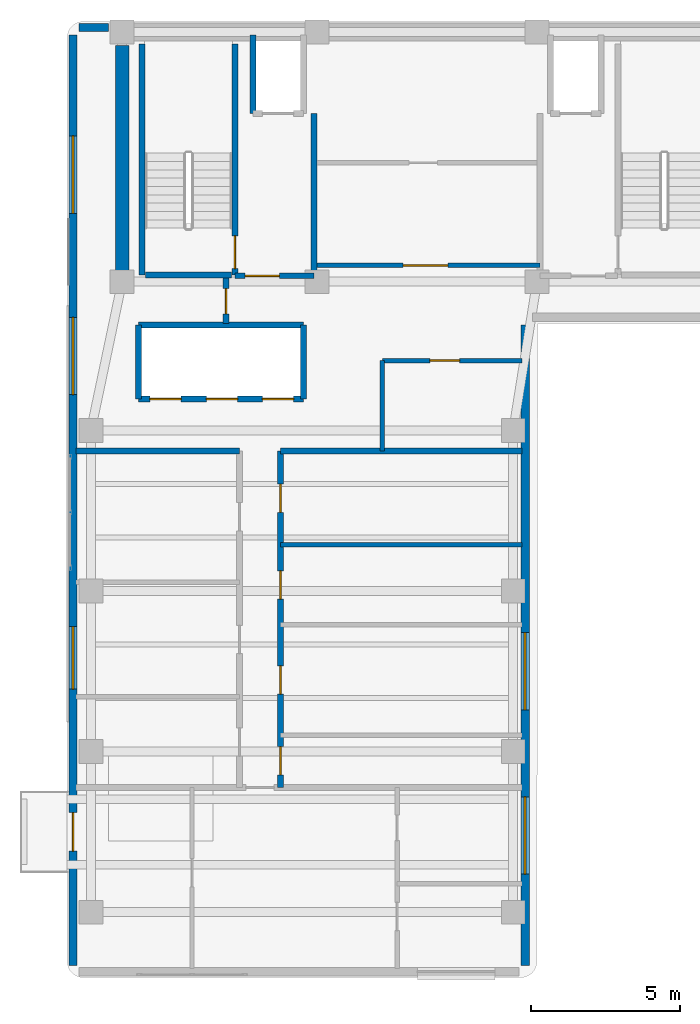
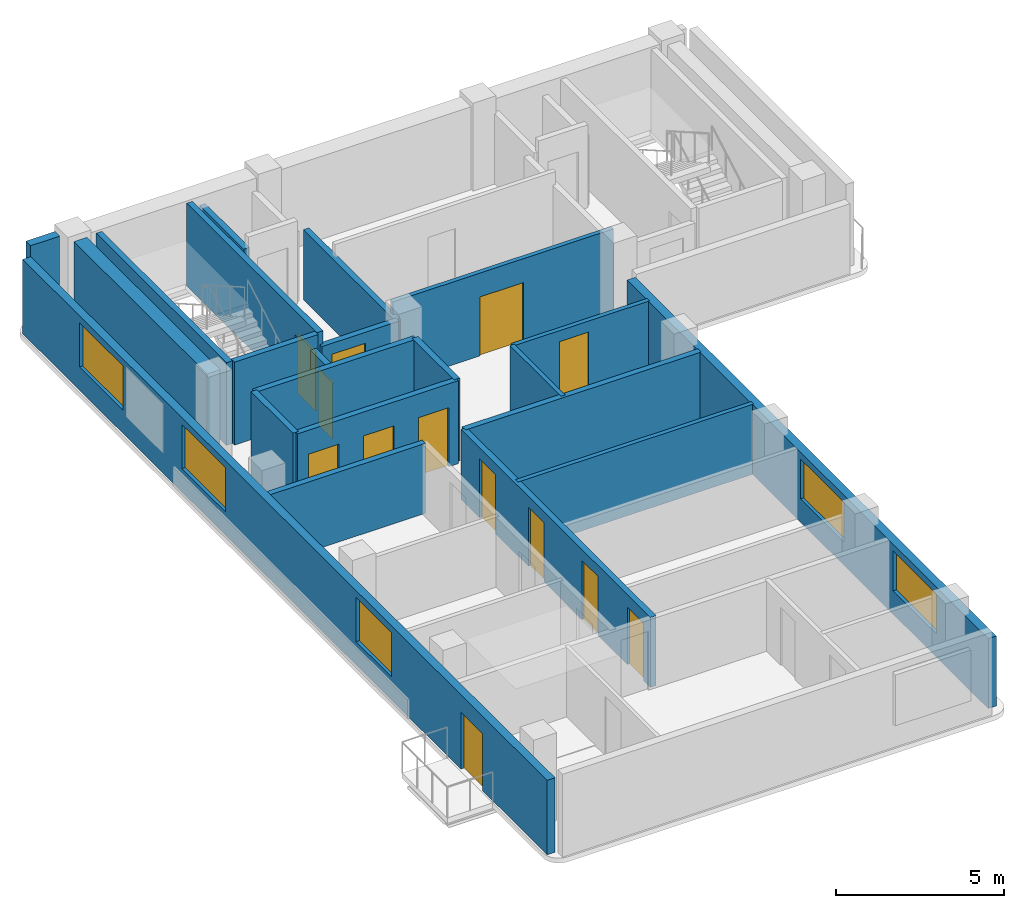
# One storey, part 8 of 11: 22 walls, 13 doors, 5 windows, 18 openings.
"""IFC4 building model written with IfcOpenShell, lengths in metres."""

from ifc_helpers import new_model, si_unit, direction, frame, frame_2d, origin, place, context, subcontext, project, spatial, rectangle, extrude, material, layer, layer_set, type_object, element, fill, save


model = new_model("IFC4")

# Units and contexts
model_context = context("Model", 3, precision=1e-05, world=origin(), true_north=direction((0.0, 1.0)))
body_context = subcontext(model_context, "Body", "Model", "MODEL_VIEW")
ifc_project = project(units=[si_unit("LENGTHUNIT", "METRE"), si_unit("AREAUNIT", "SQUARE_METRE"), si_unit("VOLUMEUNIT", "CUBIC_METRE"), si_unit("PLANEANGLEUNIT", "RADIAN"), si_unit("MASSUNIT", "GRAM", prefix="KILO")], contexts=[model_context])

# Site, building, storey
site_placement = place(None, origin())
site = spatial("IfcSite", under=ifc_project, at=site_placement, CompositionType="ELEMENT")
building_placement = place(site_placement, origin())
building = spatial("IfcBuilding", under=site, at=building_placement, Name="Kuzgunbayir Cultural Tower", CompositionType="ELEMENT")
storey_placement = place(building_placement, frame((0.0, 0.0, 234.39990234375)))
storey = spatial("IfcBuildingStorey", under=building, at=storey_placement, Name="L69", CompositionType="ELEMENT", Elevation=234.39990234375)

# Wall
ifc_material_1 = material(Name="Concrete C50/60", Category="concrete")
ifc_layer_1 = layer(ifc_material_1, 0.449951171875)
ifc_layer_set_1 = layer_set([ifc_layer_1], Name="Concrete C50/60")
wall_type_1 = type_object("IfcWallType", Name="WAL-CORE-450", PredefinedType="SHEAR", material=ifc_layer_set_1)
wall_1_placement = place(storey_placement, frame((6.449951171875, 33.800048828125, 0.0), z_axis=(0.0, 0.0, 1.0), x_axis=(0.0, 1.0, 0.0)))
element("IfcWall", 1, at=wall_1_placement, inside=storey, type_object=wall_type_1, Name="L69 T1 Core West Shear Wall", PredefinedType="SHEAR", context=body_context, shape_type="SweptSolid", body=[
    extrude(rectangle(XDim=7.949951171875, YDim=0.449951171875, at=frame_2d((3.97509765625, 0.0))), origin(), (0.0, 0.0, 1.0), 3.02001953125),
])

# Wall, openings, door, windows
ifc_material_2 = material(Name="Anatolian Cream Limestone", Category="masonry")
ifc_layer_2 = layer(ifc_material_2, 0.280029296875)
ifc_layer_set_2 = layer_set([ifc_layer_2], Name="Anatolian Cream Limestone")
wall_type_2 = type_object("IfcWallType", Name="WAL-EXT-STONE-280", PredefinedType="STANDARD", material=ifc_layer_set_2)
wall_2_placement = place(storey_placement, frame((4.800048828125, 42.10009765625, 0.0), z_axis=(0.0, 0.0, 1.0), x_axis=(0.0, -1.0, 0.0)))
wall_2 = element("IfcWall", 2, at=wall_2_placement, inside=storey, type_object=wall_type_2, Name="L69 Wing A West Limestone Wall", PredefinedType="STANDARD", context=body_context, shape_type="SweptSolid", body=[
    extrude(rectangle(XDim=31.300048828125, YDim=0.280029296875, at=frame_2d((15.64990234375, 0.0))), origin(), (0.0, 0.0, 1.0), 2.710205078125),
])
opening_1_placement = place(wall_2_placement, frame((26.14990234375, 0.0, 0.0)))
opening_1 = element("IfcOpeningElement", 3, at=opening_1_placement, cuts=wall_2, Name="Opening BD-13", PredefinedType="OPENING", context=body_context, shape_type="SweptSolid", body=[
    extrude(rectangle(XDim=1.300048828125, YDim=2.080078125, at=frame_2d((0.64990234375, 1.0400390625))), frame((0.0, 0.14990234375, 0.0), z_axis=(0.0, -1.0, 0.0), x_axis=(1.0, 0.0, 0.0)), (0.0, 0.0, 1.0), 0.300048828125),
])
opening_2_placement = place(wall_2_placement, frame((19.89990234375, 0.0, 0.85009765625)))
opening_2 = element("IfcOpeningElement", 4, at=opening_2_placement, cuts=wall_2, Name="Opening WR-21", PredefinedType="OPENING", context=body_context, shape_type="SweptSolid", body=[
    extrude(rectangle(XDim=2.10009765625, YDim=1.610107421875, at=frame_2d((1.050048828125, 0.80517578125))), frame((0.0, 0.14990234375, 0.0), z_axis=(0.0, -1.0, 0.0), x_axis=(1.0, 0.0, 0.0)), (0.0, 0.0, 1.0), 0.300048828125),
])
opening_3_placement = place(wall_2_placement, frame((9.5, 0.0, 0.85009765625)))
opening_3 = element("IfcOpeningElement", 5, at=opening_3_placement, cuts=wall_2, Name="Opening WK-26", PredefinedType="OPENING", context=body_context, shape_type="SweptSolid", body=[
    extrude(rectangle(XDim=2.60009765625, YDim=1.610107421875, at=frame_2d((1.300048828125, 0.80517578125))), frame((0.0, 0.14990234375, 0.0), z_axis=(0.0, -1.0, 0.0), x_axis=(1.0, 0.0, 0.0)), (0.0, 0.0, 1.0), 0.300048828125),
])
opening_4_placement = place(wall_2_placement, frame((3.39990234375, 0.0, 0.85009765625)))
opening_4 = element("IfcOpeningElement", 6, at=opening_4_placement, cuts=wall_2, Name="Opening WK-26", PredefinedType="OPENING", context=body_context, shape_type="SweptSolid", body=[
    extrude(rectangle(XDim=2.60009765625, YDim=1.610107421875, at=frame_2d((1.300048828125, 0.80517578125))), frame((0.0, 0.14990234375, 0.0), z_axis=(0.0, -1.0, 0.0), x_axis=(1.0, 0.0, 0.0)), (0.0, 0.0, 1.0), 0.300048828125),
])
ifc_material_3 = material(Name="Thermally Broken Glazed Aluminium", Category="aluminium")
door_type_1 = type_object("IfcDoorType", Name="DR-BALCONY-135", OperationType="SLIDING_TO_LEFT", PredefinedType="DOOR", material=ifc_material_3)
door_1_placement = place(opening_1_placement, origin())
door_1 = element("IfcDoor", 7, at=door_1_placement, inside=storey, type_object=door_type_1, Name="L69 West Balcony Sliding Door BAL-L69-WA1", OperationType="SLIDING_TO_LEFT", OverallHeight=2.080078125, OverallWidth=1.300048828125, PredefinedType="DOOR", context=body_context, shape_type="SweptSolid", body=[
    extrude(rectangle(XDim=1.300048828125, YDim=2.080078125, at=frame_2d((0.64990234375, 1.0400390625))), frame((0.0, 0.02490234375, 0.0), z_axis=(0.0, -1.0, 0.0), x_axis=(1.0, 0.0, 0.0)), (0.0, 0.0, 1.0), 0.050048828125),
])
fill(opening_1, door_1)
ifc_material_4 = material(Name="Solar-Control Triple Glazing", Category="glass")
window_type_1 = type_object("IfcWindowType", Name="WIN-CROWN-26", PartitioningType="SINGLE_PANEL", PredefinedType="WINDOW", material=ifc_material_4)
window_1_placement = place(opening_3_placement, origin())
window_1 = element("IfcWindow", 8, at=window_1_placement, inside=storey, type_object=window_type_1, Name="L69 WAW Facade Window 4", OverallHeight=1.610107421875, OverallWidth=2.60009765625, PartitioningType="SINGLE_PANEL", PredefinedType="WINDOW", context=body_context, shape_type="SweptSolid", body=[
    extrude(rectangle(XDim=2.60009765625, YDim=1.610107421875, at=frame_2d((1.300048828125, 0.80517578125))), frame((0.0, 0.030029296875, 0.0), z_axis=(0.0, -1.0, 0.0), x_axis=(1.0, 0.0, 0.0)), (0.0, 0.0, 1.0), 0.06005859375),
])
fill(opening_3, window_1)
window_2_placement = place(opening_4_placement, origin())
window_2 = element("IfcWindow", 9, at=window_2_placement, inside=storey, type_object=window_type_1, Name="L69 WAW Facade Window 5", OverallHeight=1.610107421875, OverallWidth=2.60009765625, PartitioningType="SINGLE_PANEL", PredefinedType="WINDOW", context=body_context, shape_type="SweptSolid", body=[
    extrude(rectangle(XDim=2.60009765625, YDim=1.610107421875, at=frame_2d((1.300048828125, 0.80517578125))), frame((0.0, 0.030029296875, 0.0), z_axis=(0.0, -1.0, 0.0), x_axis=(1.0, 0.0, 0.0)), (0.0, 0.0, 1.0), 0.06005859375),
])
fill(opening_4, window_2)
window_type_2 = type_object("IfcWindowType", Name="WIN-RESID-21", PartitioningType="SINGLE_PANEL", PredefinedType="WINDOW", material=ifc_material_4)
window_3_placement = place(opening_2_placement, origin())
window_3 = element("IfcWindow", 10, at=window_3_placement, inside=storey, type_object=window_type_2, Name="L69 WAW Facade Window 3", OverallHeight=1.610107421875, OverallWidth=2.10009765625, PartitioningType="SINGLE_PANEL", PredefinedType="WINDOW", context=body_context, shape_type="SweptSolid", body=[
    extrude(rectangle(XDim=2.10009765625, YDim=1.610107421875, at=frame_2d((1.050048828125, 0.80517578125))), frame((0.0, 0.030029296875, 0.0), z_axis=(0.0, -1.0, 0.0), x_axis=(1.0, 0.0, 0.0)), (0.0, 0.0, 1.0), 0.06005859375),
])
fill(opening_2, window_3)

# Wall, openings, windows
wall_3_placement = place(storey_placement, frame((20.0, 10.800048828125, 0.0), z_axis=(0.0, 0.0, 1.0), x_axis=(0.0, 1.0, 0.0)))
wall_3 = element("IfcWall", 11, at=wall_3_placement, inside=storey, type_object=wall_type_2, Name="L69 Wing A East Limestone Wall", PredefinedType="STANDARD", context=body_context, shape_type="SweptSolid", body=[
    extrude(rectangle(XDim=21.550048828125, YDim=0.280029296875, at=frame_2d((10.77490234375, 0.0))), origin(), (0.0, 0.0, 1.0), 2.550048828125),
])
opening_5_placement = place(wall_3_placement, frame((3.080078125, 0.0, 0.85009765625)))
opening_5 = element("IfcOpeningElement", 12, at=opening_5_placement, cuts=wall_3, Name="Opening WK-26", PredefinedType="OPENING", context=body_context, shape_type="SweptSolid", body=[
    extrude(rectangle(XDim=2.60009765625, YDim=1.449951171875, at=frame_2d((1.300048828125, 0.72509765625))), frame((0.0, 0.14990234375, 0.0), z_axis=(0.0, -1.0, 0.0), x_axis=(1.0, 0.0, 0.0)), (0.0, 0.0, 1.0), 0.300048828125),
])
opening_6_placement = place(wall_3_placement, frame((8.60009765625, 0.0, 0.85009765625)))
opening_6 = element("IfcOpeningElement", 13, at=opening_6_placement, cuts=wall_3, Name="Opening WK-26", PredefinedType="OPENING", context=body_context, shape_type="SweptSolid", body=[
    extrude(rectangle(XDim=2.60009765625, YDim=1.449951171875, at=frame_2d((1.300048828125, 0.72509765625))), frame((0.0, 0.14990234375, 0.0), z_axis=(0.0, -1.0, 0.0), x_axis=(1.0, 0.0, 0.0)), (0.0, 0.0, 1.0), 0.300048828125),
])
window_4_placement = place(opening_5_placement, origin())
window_4 = element("IfcWindow", 14, at=window_4_placement, inside=storey, type_object=window_type_1, Name="L69 WAE Facade Window 2", OverallHeight=1.449951171875, OverallWidth=2.60009765625, PartitioningType="SINGLE_PANEL", PredefinedType="WINDOW", context=body_context, shape_type="SweptSolid", body=[
    extrude(rectangle(XDim=2.60009765625, YDim=1.449951171875, at=frame_2d((1.300048828125, 0.72509765625))), frame((0.0, 0.030029296875, 0.0), z_axis=(0.0, -1.0, 0.0), x_axis=(1.0, 0.0, 0.0)), (0.0, 0.0, 1.0), 0.06005859375),
])
fill(opening_5, window_4)
window_5_placement = place(opening_6_placement, origin())
window_5 = element("IfcWindow", 15, at=window_5_placement, inside=storey, type_object=window_type_1, Name="L69 WAE Facade Window 6", OverallHeight=1.449951171875, OverallWidth=2.60009765625, PartitioningType="SINGLE_PANEL", PredefinedType="WINDOW", context=body_context, shape_type="SweptSolid", body=[
    extrude(rectangle(XDim=2.60009765625, YDim=1.449951171875, at=frame_2d((1.300048828125, 0.72509765625))), frame((0.0, 0.030029296875, 0.0), z_axis=(0.0, -1.0, 0.0), x_axis=(1.0, 0.0, 0.0)), (0.0, 0.0, 1.0), 0.06005859375),
])
fill(opening_6, window_5)

# Wall
wall_4_placement = place(storey_placement, frame((6.0, 42.35009765625, 0.0), z_axis=(0.0, 0.0, 1.0), x_axis=(-1.0, 0.0, 0.0)))
element("IfcWall", 16, at=wall_4_placement, inside=storey, type_object=wall_type_2, Name="L69 Core North-West Spandrel Link", PredefinedType="STANDARD", context=body_context, shape_type="SweptSolid", body=[
    extrude(rectangle(XDim=1.0, YDim=0.280029296875, at=frame_2d((0.5, 0.0))), origin(), (0.0, 0.0, 1.0), 3.02001953125),
])

# Wall, opening, door
ifc_material_5 = material(Name="Acoustic Double-Stud Drywall", Category="gypsum")
ifc_layer_3 = layer(ifc_material_5, 0.14990234375)
ifc_layer_set_3 = layer_set([ifc_layer_3], Name="Acoustic Double-Stud Drywall")
wall_type_3 = type_object("IfcWallType", Name="WAL-PART-ACOUSTIC-150", PredefinedType="PARTITIONING", material=ifc_layer_set_3)
wall_5_placement = place(storey_placement, frame((12.89990234375, 34.35009765625, 0.0), z_axis=(0.0, 0.0, 1.0), x_axis=(1.0, 0.0, 0.0)))
wall_5 = element("IfcWall", 17, at=wall_5_placement, inside=storey, type_object=wall_type_3, Name="L69 Sky Core South Wall", PredefinedType="PARTITIONING", context=body_context, shape_type="SweptSolid", body=[
    extrude(rectangle(XDim=7.60009765625, YDim=0.14990234375, at=frame_2d((3.800048828125, 0.0))), origin(), (0.0, 0.0, 1.0), 3.02001953125),
])
opening_7_placement = place(wall_5_placement, frame((3.0, 0.0, 0.0)))
opening_7 = element("IfcOpeningElement", 18, at=opening_7_placement, cuts=wall_5, Name="Opening DC-150", PredefinedType="OPENING", context=body_context, shape_type="SweptSolid", body=[
    extrude(rectangle(XDim=1.5, YDim=2.14990234375, at=frame_2d((0.75, 1.074951171875))), frame((0.0, 0.0849609375, 0.0), z_axis=(0.0, -1.0, 0.0), x_axis=(1.0, 0.0, 0.0)), (0.0, 0.0, 1.0), 0.169921875),
])
ifc_material_6 = material(Name="Fire-Rated Veneered Oak Double Leaf", Category="wood")
door_type_2 = type_object("IfcDoorType", Name="DR-CORE-150", OperationType="DOUBLE_DOOR_SINGLE_SWING", PredefinedType="DOOR", material=ifc_material_6)
door_2_placement = place(opening_7_placement, origin())
door_2 = element("IfcDoor", 19, at=door_2_placement, inside=storey, type_object=door_type_2, Name="L69 Sky Conservatory Double Door", OperationType="DOUBLE_DOOR_SINGLE_SWING", OverallHeight=2.14990234375, OverallWidth=1.5, PredefinedType="DOOR", context=body_context, shape_type="SweptSolid", body=[
    extrude(rectangle(XDim=1.5, YDim=2.14990234375, at=frame_2d((0.75, 1.074951171875))), frame((0.0, 0.02490234375, 0.0), z_axis=(0.0, -1.0, 0.0), x_axis=(1.0, 0.0, 0.0)), (0.0, 0.0, 1.0), 0.050048828125),
])
fill(opening_7, door_2)

wall_6_placement = place(storey_placement, frame((15.199951171875, 31.14990234375, 0.0), z_axis=(0.0, 0.0, 1.0), x_axis=(1.0, 0.0, 0.0)))
wall_6 = element("IfcWall", 20, at=wall_6_placement, inside=storey, type_object=wall_type_3, Name="L69 Central Sky Salon North Wall", PredefinedType="PARTITIONING", context=body_context, shape_type="SweptSolid", body=[
    extrude(rectangle(XDim=4.699951171875, YDim=0.14990234375, at=frame_2d((2.35009765625, 0.0))), origin(), (0.0, 0.0, 1.0), 2.550048828125),
])
opening_8_placement = place(wall_6_placement, frame((1.60009765625, 0.0, 0.0)))
opening_8 = element("IfcOpeningElement", 21, at=opening_8_placement, cuts=wall_6, Name="Opening DI-100", PredefinedType="OPENING", context=body_context, shape_type="SweptSolid", body=[
    extrude(rectangle(XDim=1.0, YDim=2.14990234375, at=frame_2d((0.5, 1.074951171875))), frame((0.0, 0.0849609375, 0.0), z_axis=(0.0, -1.0, 0.0), x_axis=(1.0, 0.0, 0.0)), (0.0, 0.0, 1.0), 0.169921875),
])
ifc_material_7 = material(Name="Veneered Oak Single Leaf", Category="wood")
door_type_3 = type_object("IfcDoorType", Name="DR-INT-100", OperationType="NOTDEFINED", PredefinedType="DOOR", material=ifc_material_7)
door_3_placement = place(opening_8_placement, origin())
door_3 = element("IfcDoor", 22, at=door_3_placement, inside=storey, type_object=door_type_3, Name="L69 Central Sky Salon Door", OperationType="SINGLE_SWING_LEFT", OverallHeight=2.14990234375, OverallWidth=1.0, PredefinedType="DOOR", context=body_context, shape_type="SweptSolid", body=[
    extrude(rectangle(XDim=1.0, YDim=2.14990234375, at=frame_2d((0.5, 1.074951171875))), frame((0.0, 0.02490234375, 0.0), z_axis=(0.0, -1.0, 0.0), x_axis=(1.0, 0.0, 0.0)), (0.0, 0.0, 1.0), 0.050048828125),
])
fill(opening_8, door_3)

# Walls
wall_7_placement = place(storey_placement, frame((15.199951171875, 28.10009765625, 0.0), z_axis=(0.0, 0.0, 1.0), x_axis=(0.0, 1.0, 0.0)))
element("IfcWall", 23, at=wall_7_placement, inside=storey, type_object=wall_type_3, Name="L69 Central Sky Salon West Wall", PredefinedType="PARTITIONING", context=body_context, shape_type="SweptSolid", body=[
    extrude(rectangle(XDim=3.0498046875, YDim=0.14990234375, at=frame_2d((1.52490234375, 0.0))), origin(), (0.0, 0.0, 1.0), 2.550048828125),
])
wall_8_placement = place(storey_placement, frame((11.780029296875, 24.949951171875, 0.0), z_axis=(0.0, 0.0, 1.0), x_axis=(1.0, 0.0, 0.0)))
element("IfcWall", 24, at=wall_8_placement, inside=storey, type_object=wall_type_3, Name="L69 East Divider 2", PredefinedType="PARTITIONING", context=body_context, shape_type="SweptSolid", body=[
    extrude(rectangle(XDim=8.119873046875, YDim=0.14990234375, at=frame_2d((4.06005859375, 0.0))), origin(), (0.0, 0.0, 1.0), 2.550048828125),
])
ifc_material_8 = material(Name="Aerated Concrete Blockwork", Category="masonry")
ifc_layer_4 = layer(ifc_material_8, 0.199951171875)
ifc_layer_set_4 = layer_set([ifc_layer_4], Name="Aerated Concrete Blockwork")
wall_type_4 = type_object("IfcWallType", Name="WAL-PART-FIRE-200", PredefinedType="PARTITIONING", material=ifc_layer_set_4)
wall_9_placement = place(storey_placement, frame((12.89990234375, 34.0, 0.0), z_axis=(0.0, 0.0, 1.0), x_axis=(0.0, 1.0, 0.0)))
element("IfcWall", 25, at=wall_9_placement, inside=storey, type_object=wall_type_4, Name="L69 FFL-1 Lobby East Fire Wall", PredefinedType="PARTITIONING", context=body_context, shape_type="SweptSolid", body=[
    extrude(rectangle(XDim=5.449951171875, YDim=0.199951171875, at=frame_2d((2.72509765625, 0.0))), origin(), (0.0, 0.0, 1.0), 2.550048828125),
])

# Wall, opening, door
wall_10_placement = place(storey_placement, frame((10.239990234375, 34.0, 0.0), z_axis=(0.0, 0.0, 1.0), x_axis=(1.0, 0.0, 0.0)))
wall_10 = element("IfcWall", 26, at=wall_10_placement, inside=storey, type_object=wall_type_4, Name="L69 FFL-1 Lobby South Fire Wall", PredefinedType="PARTITIONING", context=body_context, shape_type="SweptSolid", body=[
    extrude(rectangle(XDim=2.659912109375, YDim=0.199951171875, at=frame_2d((1.330078125, 0.0))), origin(), (0.0, 0.0, 1.0), 2.550048828125),
])
opening_9_placement = place(wall_10_placement, frame((0.35009765625, 0.0, 0.0)))
opening_9 = element("IfcOpeningElement", 27, at=opening_9_placement, cuts=wall_10, Name="Opening DR-FFL-90", PredefinedType="OPENING", context=body_context, shape_type="SweptSolid", body=[
    extrude(rectangle(XDim=1.14990234375, YDim=2.14990234375, at=frame_2d((0.574951171875, 1.074951171875))), frame((0.0, 0.10986328125, 0.0), z_axis=(0.0, -1.0, 0.0), x_axis=(1.0, 0.0, 0.0)), (0.0, 0.0, 1.0), 0.219970703125),
])
ifc_material_9 = material(Name="Steel S355J2", Category="steel")
door_type_4 = type_object("IfcDoorType", Name="DR-FFL-90", OperationType="NOTDEFINED", PredefinedType="DOOR", material=ifc_material_9)
door_4_placement = place(opening_9_placement, origin())
door_4 = element("IfcDoor", 28, at=door_4_placement, inside=storey, type_object=door_type_4, Name="L69 Firefighting Lobby 1 Door", OperationType="SINGLE_SWING_LEFT", OverallHeight=2.14990234375, OverallWidth=1.14990234375, PredefinedType="DOOR", context=body_context, shape_type="SweptSolid", body=[
    extrude(rectangle(XDim=1.14990234375, YDim=2.14990234375, at=frame_2d((0.574951171875, 1.074951171875))), frame((0.0, 0.02490234375, 0.0), z_axis=(0.0, -1.0, 0.0), x_axis=(1.0, 0.0, 0.0)), (0.0, 0.0, 1.0), 0.050048828125),
])
fill(opening_9, door_4)

wall_11_placement = place(storey_placement, frame((9.949951171875, 32.39990234375, 0.0), z_axis=(0.0, 0.0, 1.0), x_axis=(0.0, 1.0, 0.0)))
wall_11 = element("IfcWall", 29, at=wall_11_placement, inside=storey, type_object=wall_type_4, Name="L69 West Core Service Closet Wall", PredefinedType="PARTITIONING", context=body_context, shape_type="SweptSolid", body=[
    extrude(rectangle(XDim=1.52001953125, YDim=0.199951171875, at=frame_2d((0.760009765625, 0.0))), origin(), (0.0, 0.0, 1.0), 2.550048828125),
])
opening_10_placement = place(wall_11_placement, frame((0.320068359375, 0.0, 0.0)))
opening_10 = element("IfcOpeningElement", 30, at=opening_10_placement, cuts=wall_11, Name="Opening DR-RSR-60", PredefinedType="OPENING", context=body_context, shape_type="SweptSolid", body=[
    extrude(rectangle(XDim=0.85009765625, YDim=2.050048828125, at=frame_2d((0.425048828125, 1.02490234375))), frame((0.0, 0.10986328125, 0.0), z_axis=(0.0, -1.0, 0.0), x_axis=(1.0, 0.0, 0.0)), (0.0, 0.0, 1.0), 0.219970703125),
])
ifc_material_10 = material(Name="Steel Access Leaf", Category="steel")
door_type_5 = type_object("IfcDoorType", Name="DR-RISER-60", OperationType="NOTDEFINED", PredefinedType="DOOR", material=ifc_material_10)
door_5_placement = place(opening_10_placement, origin())
door_5 = element("IfcDoor", 31, at=door_5_placement, inside=storey, type_object=door_type_5, Name="L69 Cleaner Utility Store Door", OperationType="SINGLE_SWING_LEFT", OverallHeight=2.050048828125, OverallWidth=0.85009765625, PredefinedType="DOOR", context=body_context, shape_type="SweptSolid", body=[
    extrude(rectangle(XDim=0.85009765625, YDim=2.050048828125, at=frame_2d((0.425048828125, 1.02490234375))), frame((0.0, 0.02490234375, 0.0), z_axis=(0.0, -1.0, 0.0), x_axis=(1.0, 0.0, 0.0)), (0.0, 0.0, 1.0), 0.050048828125),
])
fill(opening_10, door_5)

# Wall, openings, doors
wall_12_placement = place(storey_placement, frame((11.780029296875, 16.800048828125, 0.0), z_axis=(0.0, 0.0, 1.0), x_axis=(0.0, 1.0, 0.0)))
wall_12 = element("IfcWall", 32, at=wall_12_placement, inside=storey, type_object=wall_type_4, Name="L69 Wing A East Corridor Wall", PredefinedType="PARTITIONING", context=body_context, shape_type="SweptSolid", body=[
    extrude(rectangle(XDim=11.300048828125, YDim=0.199951171875, at=frame_2d((5.64990234375, 0.0))), origin(), (0.0, 0.0, 1.0), 2.550048828125),
])
opening_11_placement = place(wall_12_placement, frame((0.419921875, 0.0, 0.0)))
opening_11 = element("IfcOpeningElement", 33, at=opening_11_placement, cuts=wall_12, Name="Opening DW-95", PredefinedType="OPENING", context=body_context, shape_type="SweptSolid", body=[
    extrude(rectangle(XDim=0.949951171875, YDim=2.10009765625, at=frame_2d((0.47509765625, 1.050048828125))), frame((0.0, 0.10986328125, 0.0), z_axis=(0.0, -1.0, 0.0), x_axis=(1.0, 0.0, 0.0)), (0.0, 0.0, 1.0), 0.219970703125),
])
opening_12_placement = place(wall_12_placement, frame((3.1298828125, 0.0, 0.0)))
opening_12 = element("IfcOpeningElement", 34, at=opening_12_placement, cuts=wall_12, Name="Opening DI-90", PredefinedType="OPENING", context=body_context, shape_type="SweptSolid", body=[
    extrude(rectangle(XDim=0.949951171875, YDim=2.14990234375, at=frame_2d((0.47509765625, 1.074951171875))), frame((0.0, 0.10986328125, 0.0), z_axis=(0.0, -1.0, 0.0), x_axis=(1.0, 0.0, 0.0)), (0.0, 0.0, 1.0), 0.219970703125),
])
opening_13_placement = place(wall_12_placement, frame((6.330078125, 0.0, 0.0)))
opening_13 = element("IfcOpeningElement", 35, at=opening_13_placement, cuts=wall_12, Name="Opening DI-90", PredefinedType="OPENING", context=body_context, shape_type="SweptSolid", body=[
    extrude(rectangle(XDim=0.949951171875, YDim=2.14990234375, at=frame_2d((0.47509765625, 1.074951171875))), frame((0.0, 0.10986328125, 0.0), z_axis=(0.0, -1.0, 0.0), x_axis=(1.0, 0.0, 0.0)), (0.0, 0.0, 1.0), 0.219970703125),
])
opening_14_placement = place(wall_12_placement, frame((9.239990234375, 0.0, 0.0)))
opening_14 = element("IfcOpeningElement", 36, at=opening_14_placement, cuts=wall_12, Name="Opening DI-90", PredefinedType="OPENING", context=body_context, shape_type="SweptSolid", body=[
    extrude(rectangle(XDim=0.949951171875, YDim=2.14990234375, at=frame_2d((0.47509765625, 1.074951171875))), frame((0.0, 0.10986328125, 0.0), z_axis=(0.0, -1.0, 0.0), x_axis=(1.0, 0.0, 0.0)), (0.0, 0.0, 1.0), 0.219970703125),
])
door_type_6 = type_object("IfcDoorType", Name="DR-INT-90", OperationType="NOTDEFINED", PredefinedType="DOOR", material=ifc_material_7)
door_6_placement = place(opening_12_placement, origin())
door_6 = element("IfcDoor", 37, at=door_6_placement, inside=storey, type_object=door_type_6, Name="L69 East Art Publication Salon E1 Door", OperationType="SINGLE_SWING_RIGHT", OverallHeight=2.14990234375, OverallWidth=0.949951171875, PredefinedType="DOOR", context=body_context, shape_type="SweptSolid", body=[
    extrude(rectangle(XDim=0.949951171875, YDim=2.14990234375, at=frame_2d((0.47509765625, 1.074951171875))), frame((0.0, 0.02490234375, 0.0), z_axis=(0.0, -1.0, 0.0), x_axis=(1.0, 0.0, 0.0)), (0.0, 0.0, 1.0), 0.050048828125),
])
fill(opening_12, door_6)
door_7_placement = place(opening_13_placement, origin())
door_7 = element("IfcDoor", 38, at=door_7_placement, inside=storey, type_object=door_type_6, Name="L69 East Wellness Consultation Studio E2 Door", OperationType="SINGLE_SWING_LEFT", OverallHeight=2.14990234375, OverallWidth=0.949951171875, PredefinedType="DOOR", context=body_context, shape_type="SweptSolid", body=[
    extrude(rectangle(XDim=0.949951171875, YDim=2.14990234375, at=frame_2d((0.47509765625, 1.074951171875))), frame((0.0, 0.02490234375, 0.0), z_axis=(0.0, -1.0, 0.0), x_axis=(1.0, 0.0, 0.0)), (0.0, 0.0, 1.0), 0.050048828125),
])
fill(opening_13, door_7)
door_8_placement = place(opening_14_placement, origin())
door_8 = element("IfcDoor", 39, at=door_8_placement, inside=storey, type_object=door_type_6, Name="L69 East Art Publication Salon E3 Door", OperationType="SINGLE_SWING_RIGHT", OverallHeight=2.14990234375, OverallWidth=0.949951171875, PredefinedType="DOOR", context=body_context, shape_type="SweptSolid", body=[
    extrude(rectangle(XDim=0.949951171875, YDim=2.14990234375, at=frame_2d((0.47509765625, 1.074951171875))), frame((0.0, 0.02490234375, 0.0), z_axis=(0.0, -1.0, 0.0), x_axis=(1.0, 0.0, 0.0)), (0.0, 0.0, 1.0), 0.050048828125),
])
fill(opening_14, door_8)
ifc_material_11 = material(Name="Laminate Moisture-Resistant Leaf", Category="wood")
door_type_7 = type_object("IfcDoorType", Name="DR-WET-95", OperationType="NOTDEFINED", PredefinedType="DOOR", material=ifc_material_11)
door_9_placement = place(opening_11_placement, origin())
door_9 = element("IfcDoor", 40, at=door_9_placement, inside=storey, type_object=door_type_7, Name="L69 Visitor Accessible WC Door", OperationType="SINGLE_SWING_LEFT", OverallHeight=2.10009765625, OverallWidth=0.949951171875, PredefinedType="DOOR", context=body_context, shape_type="SweptSolid", body=[
    extrude(rectangle(XDim=0.949951171875, YDim=2.10009765625, at=frame_2d((0.47509765625, 1.050048828125))), frame((0.0, 0.02490234375, 0.0), z_axis=(0.0, -1.0, 0.0), x_axis=(1.0, 0.0, 0.0)), (0.0, 0.0, 1.0), 0.050048828125),
])
fill(opening_11, door_9)

# Walls
wall_13_placement = place(storey_placement, frame((4.89990234375, 28.10009765625, 0.0), z_axis=(0.0, 0.0, 1.0), x_axis=(1.0, 0.0, 0.0)))
element("IfcWall", 41, at=wall_13_placement, inside=storey, type_object=wall_type_4, Name="L69 North West Partition", PredefinedType="PARTITIONING", context=body_context, shape_type="SweptSolid", body=[
    extrude(rectangle(XDim=5.5, YDim=0.199951171875, at=frame_2d((2.75, 0.0))), origin(), (0.0, 0.0, 1.0), 2.550048828125),
])
wall_14_placement = place(storey_placement, frame((11.780029296875, 28.10009765625, 0.0), z_axis=(0.0, 0.0, 1.0), x_axis=(1.0, 0.0, 0.0)))
element("IfcWall", 42, at=wall_14_placement, inside=storey, type_object=wall_type_4, Name="L69 North East Partition", PredefinedType="PARTITIONING", context=body_context, shape_type="SweptSolid", body=[
    extrude(rectangle(XDim=8.119873046875, YDim=0.199951171875, at=frame_2d((4.06005859375, 0.0))), origin(), (0.0, 0.0, 1.0), 2.550048828125),
])

# Wall, openings, doors
ifc_material_12 = material(Name="Concrete C40/50", Category="concrete")
ifc_layer_5 = layer(ifc_material_12, 0.199951171875)
ifc_layer_set_5 = layer_set([ifc_layer_5], Name="Concrete C40/50")
wall_type_5 = type_object("IfcWallType", Name="WAL-SHAFT-200", PredefinedType="MOVABLE", material=ifc_layer_set_5)
wall_15_placement = place(storey_placement, frame((7.0, 29.85009765625, 0.0), z_axis=(0.0, 0.0, 1.0), x_axis=(1.0, 0.0, 0.0)))
wall_15 = element("IfcWall", 43, at=wall_15_placement, inside=storey, type_object=wall_type_5, Name="L69 High-Rise Lift Shaft South Wall", PredefinedType="MOVABLE", context=body_context, shape_type="SweptSolid", body=[
    extrude(rectangle(XDim=5.550048828125, YDim=0.199951171875, at=frame_2d((2.77490234375, 0.0))), origin(), (0.0, 0.0, 1.0), 3.02001953125),
])
opening_15_placement = place(wall_15_placement, frame((0.3798828125, 0.0, 0.0)))
opening_15 = element("IfcOpeningElement", 44, at=opening_15_placement, cuts=wall_15, Name="Opening LD", PredefinedType="OPENING", context=body_context, shape_type="SweptSolid", body=[
    extrude(rectangle(XDim=1.050048828125, YDim=2.14990234375, at=frame_2d((0.52490234375, 1.074951171875))), frame((0.0, 0.10986328125, 0.0), z_axis=(0.0, -1.0, 0.0), x_axis=(1.0, 0.0, 0.0)), (0.0, 0.0, 1.0), 0.219970703125),
])
opening_16_placement = place(wall_15_placement, frame((2.280029296875, 0.0, 0.0)))
opening_16 = element("IfcOpeningElement", 45, at=opening_16_placement, cuts=wall_15, Name="Opening LD", PredefinedType="OPENING", context=body_context, shape_type="SweptSolid", body=[
    extrude(rectangle(XDim=1.050048828125, YDim=2.14990234375, at=frame_2d((0.52490234375, 1.074951171875))), frame((0.0, 0.10986328125, 0.0), z_axis=(0.0, -1.0, 0.0), x_axis=(1.0, 0.0, 0.0)), (0.0, 0.0, 1.0), 0.219970703125),
])
opening_17_placement = place(wall_15_placement, frame((4.169921875, 0.0, 0.0)))
opening_17 = element("IfcOpeningElement", 46, at=opening_17_placement, cuts=wall_15, Name="Opening LD", PredefinedType="OPENING", context=body_context, shape_type="SweptSolid", body=[
    extrude(rectangle(XDim=1.050048828125, YDim=2.14990234375, at=frame_2d((0.52490234375, 1.074951171875))), frame((0.0, 0.10986328125, 0.0), z_axis=(0.0, -1.0, 0.0), x_axis=(1.0, 0.0, 0.0)), (0.0, 0.0, 1.0), 0.219970703125),
])
ifc_material_13 = material(Name="Brushed Stainless Steel", Category="steel")
door_type_8 = type_object("IfcDoorType", Name="DR-LIFT-LANDING", OperationType="SLIDING_TO_LEFT", PredefinedType="DOOR", material=ifc_material_13)
door_10_placement = place(opening_15_placement, origin())
door_10 = element("IfcDoor", 47, at=door_10_placement, inside=storey, type_object=door_type_8, Name="L69 Lift PH-1 Landing Door", OperationType="SLIDING_TO_LEFT", OverallHeight=2.14990234375, OverallWidth=1.050048828125, PredefinedType="DOOR", context=body_context, shape_type="SweptSolid", body=[
    extrude(rectangle(XDim=1.050048828125, YDim=2.14990234375, at=frame_2d((0.52490234375, 1.074951171875))), frame((0.0, 0.02490234375, 0.0), z_axis=(0.0, -1.0, 0.0), x_axis=(1.0, 0.0, 0.0)), (0.0, 0.0, 1.0), 0.050048828125),
])
fill(opening_15, door_10)
door_11_placement = place(opening_16_placement, origin())
door_11 = element("IfcDoor", 48, at=door_11_placement, inside=storey, type_object=door_type_8, Name="L69 Lift PH-2 Landing Door", OperationType="SLIDING_TO_LEFT", OverallHeight=2.14990234375, OverallWidth=1.050048828125, PredefinedType="DOOR", context=body_context, shape_type="SweptSolid", body=[
    extrude(rectangle(XDim=1.050048828125, YDim=2.14990234375, at=frame_2d((0.52490234375, 1.074951171875))), frame((0.0, 0.02490234375, 0.0), z_axis=(0.0, -1.0, 0.0), x_axis=(1.0, 0.0, 0.0)), (0.0, 0.0, 1.0), 0.050048828125),
])
fill(opening_16, door_11)
door_12_placement = place(opening_17_placement, origin())
door_12 = element("IfcDoor", 49, at=door_12_placement, inside=storey, type_object=door_type_8, Name="L69 Lift PH-3 Landing Door", OperationType="SLIDING_TO_LEFT", OverallHeight=2.14990234375, OverallWidth=1.050048828125, PredefinedType="DOOR", context=body_context, shape_type="SweptSolid", body=[
    extrude(rectangle(XDim=1.050048828125, YDim=2.14990234375, at=frame_2d((0.52490234375, 1.074951171875))), frame((0.0, 0.02490234375, 0.0), z_axis=(0.0, -1.0, 0.0), x_axis=(1.0, 0.0, 0.0)), (0.0, 0.0, 1.0), 0.050048828125),
])
fill(opening_17, door_12)

# Walls
wall_16_placement = place(storey_placement, frame((7.0, 32.35009765625, 0.0), z_axis=(0.0, 0.0, 1.0), x_axis=(1.0, 0.0, 0.0)))
element("IfcWall", 50, at=wall_16_placement, inside=storey, type_object=wall_type_5, Name="L69 High-Rise Lift Shaft North Wall", PredefinedType="MOVABLE", context=body_context, shape_type="SweptSolid", body=[
    extrude(rectangle(XDim=5.550048828125, YDim=0.199951171875, at=frame_2d((2.77490234375, 0.0))), origin(), (0.0, 0.0, 1.0), 3.02001953125),
])
for number, where, z_axis, x_axis, name in (
    (51, (7.0, 29.85009765625, 0.0), (0.0, 0.0, 1.0), (0.0, 1.0, 0.0), "L69 High-Rise Lift Shaft West Wall"),
    (52, (12.550048828125, 29.85009765625, 0.0), (0.0, 0.0, 1.0), (0.0, 1.0, 0.0), "L69 High-Rise Lift Shaft East Wall"),
):
    element("IfcWall", number, at=place(storey_placement, frame(where, z_axis=z_axis, x_axis=x_axis)), inside=storey, type_object=wall_type_5, Name=name, PredefinedType="MOVABLE", context=body_context, shape_type="SweptSolid", body=[
        extrude(rectangle(XDim=2.5, YDim=0.199951171875, at=frame_2d((1.25, 0.0))), origin(), (0.0, 0.0, 1.0), 3.02001953125),
    ])
wall_17_placement = place(storey_placement, frame((10.85009765625, 39.449951171875, 0.0), z_axis=(0.0, 0.0, 1.0), x_axis=(0.0, 1.0, 0.0)))
element("IfcWall", 53, at=wall_17_placement, inside=storey, type_object=wall_type_5, Name="L69 FFL-1 Shaft West Wall", PredefinedType="MOVABLE", context=body_context, shape_type="SweptSolid", body=[
    extrude(rectangle(XDim=2.650146484375, YDim=0.199951171875, at=frame_2d((1.3251953125, 0.0))), origin(), (0.0, 0.0, 1.0), 2.550048828125),
])
ifc_layer_6 = layer(ifc_material_12, 0.199951171875)
ifc_layer_set_6 = layer_set([ifc_layer_6], Name="Concrete C40/50")
wall_type_6 = type_object("IfcWallType", Name="WAL-STAIR-RC-200", PredefinedType="SHEAR", material=ifc_layer_set_6)
wall_18_placement = place(storey_placement, frame((7.1201171875, 34.02001953125, 0.0), z_axis=(0.0, 0.0, 1.0), x_axis=(0.0, 1.0, 0.0)))
element("IfcWall", 54, at=wall_18_placement, inside=storey, type_object=wall_type_6, Name="L69 Stair ST-1 West Structural Wall", PredefinedType="SHEAR", context=body_context, shape_type="SweptSolid", body=[
    extrude(rectangle(XDim=7.780029296875, YDim=0.199951171875, at=frame_2d((3.89013671875, 0.0))), origin(), (0.0, 0.0, 1.0), 3.02001953125),
])

# Wall, opening, door
wall_19_placement = place(storey_placement, frame((10.239990234375, 34.02001953125, 0.0), z_axis=(0.0, 0.0, 1.0), x_axis=(0.0, 1.0, 0.0)))
wall_19 = element("IfcWall", 55, at=wall_19_placement, inside=storey, type_object=wall_type_6, Name="L69 Stair ST-1 East Structural Wall", PredefinedType="SHEAR", context=body_context, shape_type="SweptSolid", body=[
    extrude(rectangle(XDim=7.780029296875, YDim=0.199951171875, at=frame_2d((3.89013671875, 0.0))), origin(), (0.0, 0.0, 1.0), 3.02001953125),
])
opening_18_placement = place(wall_19_placement, frame((0.219970703125, 0.0, 0.0)))
opening_18 = element("IfcOpeningElement", 56, at=opening_18_placement, cuts=wall_19, Name="Opening DR-STAIR-90", PredefinedType="OPENING", context=body_context, shape_type="SweptSolid", body=[
    extrude(rectangle(XDim=1.10009765625, YDim=2.14990234375, at=frame_2d((0.550048828125, 1.074951171875))), frame((0.0, 0.10986328125, 0.0), z_axis=(0.0, -1.0, 0.0), x_axis=(1.0, 0.0, 0.0)), (0.0, 0.0, 1.0), 0.219970703125),
])
door_type_9 = type_object("IfcDoorType", Name="DR-STAIR-90", OperationType="NOTDEFINED", PredefinedType="DOOR", material=ifc_material_9)
door_13_placement = place(opening_18_placement, origin())
door_13 = element("IfcDoor", 57, at=door_13_placement, inside=storey, type_object=door_type_9, Name="L69 Stair ST-1 Fire Door", OperationType="SINGLE_SWING_LEFT", OverallHeight=2.14990234375, OverallWidth=1.10009765625, PredefinedType="DOOR", context=body_context, shape_type="SweptSolid", body=[
    extrude(rectangle(XDim=1.10009765625, YDim=2.14990234375, at=frame_2d((0.550048828125, 1.074951171875))), frame((0.0, 0.02490234375, 0.0), z_axis=(0.0, -1.0, 0.0), x_axis=(1.0, 0.0, 0.0)), (0.0, 0.0, 1.0), 0.050048828125),
])
fill(opening_18, door_13)

# Wall
wall_20_placement = place(storey_placement, frame((7.239990234375, 34.02001953125, 0.0), z_axis=(0.0, 0.0, 1.0), x_axis=(1.0, 0.0, 0.0)))
element("IfcWall", 58, at=wall_20_placement, inside=storey, type_object=wall_type_6, Name="L69 Stair ST-1 South Structural Wall", PredefinedType="SHEAR", context=body_context, shape_type="SweptSolid", body=[
    extrude(rectangle(XDim=2.880126953125, YDim=0.199951171875, at=frame_2d((1.43994140625, 0.0))), origin(), (0.0, 0.0, 1.0), 3.02001953125),
])

save(model, "model.ifc")
